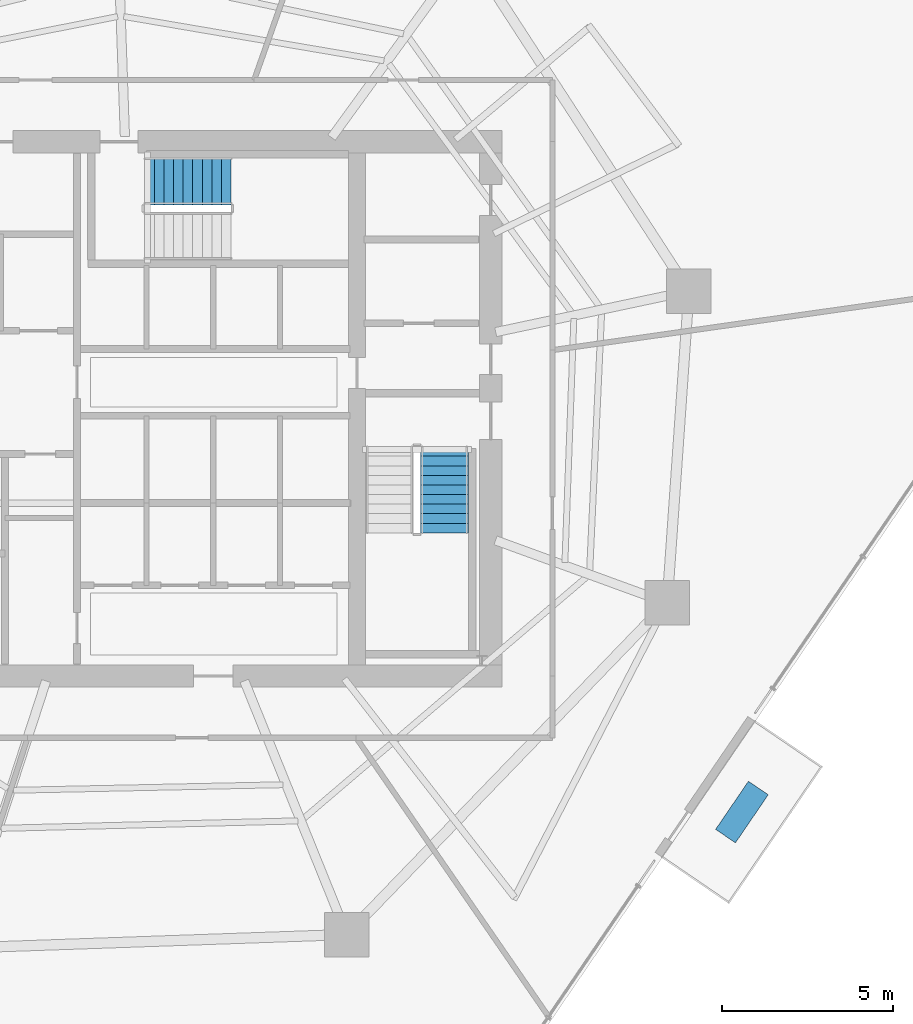
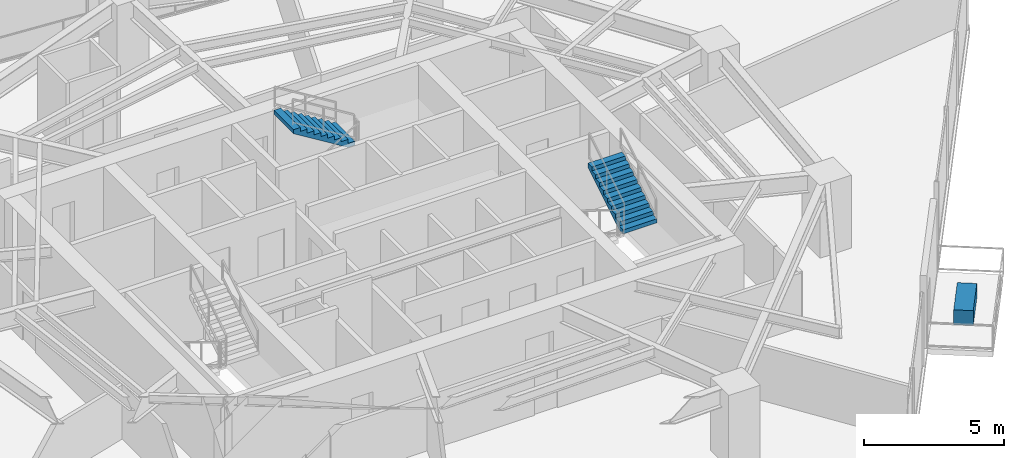
# One storey, part 28 of 30: 2 stair flights, 1 discrete accessory, 2 elements without a shape of their own.
"""IFC4 building model written with IfcOpenShell, lengths in metres."""

from ifc_helpers import new_model, si_unit, direction, frame, origin, origin_2d, place, context, subcontext, project, spatial, polyline, rectangle, outline, extrude, material, type_object, element, aggregate, save


model = new_model("IFC4")

# Units and contexts
model_context = context("Model", 3, precision=1e-05, world=origin(), true_north=direction((0.0, 1.0)))
body_context = subcontext(model_context, "Body", "Model", "MODEL_VIEW")
ifc_project = project(units=[si_unit("LENGTHUNIT", "METRE"), si_unit("AREAUNIT", "SQUARE_METRE"), si_unit("VOLUMEUNIT", "CUBIC_METRE"), si_unit("PLANEANGLEUNIT", "RADIAN"), si_unit("MASSUNIT", "GRAM", prefix="KILO")], contexts=[model_context])

# Site, building, storey
site_placement = place(None, origin())
site = spatial("IfcSite", under=ifc_project, at=site_placement, CompositionType="ELEMENT")
building_placement = place(site_placement, origin())
building = spatial("IfcBuilding", under=site, at=building_placement, Name="Qarnah Convention Tower", CompositionType="ELEMENT")
storey_placement = place(building_placement, frame((0.0, 0.0, 51.14990234375)))
storey = spatial("IfcBuildingStorey", under=building, at=storey_placement, Name="L12", CompositionType="ELEMENT", Elevation=51.14990234375)

# Stair, stair flight
ifc_material_1 = material(Name="Concrete C50/60", Category="concrete")
stair_type = type_object("IfcStairType", Name="STR-HTL", PredefinedType="HALF_TURN_STAIR", material=ifc_material_1)
stair_1_placement = place(storey_placement, origin())
stair_1 = element("IfcStair", 1, at=stair_1_placement, inside=storey, type_object=stair_type, Name="L12 Core exit stair ST-2", PredefinedType="HALF_TURN_STAIR")
stair_flight_type = type_object("IfcStairFlightType", Name="FLT-HTL", PredefinedType="STRAIGHT", material=ifc_material_1)
stair_flight_1_placement = place(storey_placement, frame((46.25, 22.780029296875, 1.72509765625), z_axis=(0.0, 0.0, 1.0), x_axis=(0.0, 1.0, 0.0)))
stair_flight_1 = element("IfcStairFlight", 2, at=stair_flight_1_placement, type_object=stair_flight_type, Name="ST-2 flight 2", NumberOfRisers=10, NumberOfTreads=9, PredefinedType="STRAIGHT", RiserHeight=0.1725, TreadLength=0.28, context=body_context, shape_type="SweptSolid", body=[
    extrude(outline(polyline([(0.0, 0.0), (0.0, 0.172607421875), (0.280029296875, 0.172607421875), (0.280029296875, 0.344970703125), (0.56005859375, 0.344970703125), (0.56005859375, 0.517578125), (0.840087890625, 0.517578125), (0.840087890625, 0.68994140625), (1.1201171875, 0.68994140625), (1.1201171875, 0.862548828125), (1.39990234375, 0.862548828125), (1.39990234375, 1.034912109375), (1.679931640625, 1.034912109375), (1.679931640625, 1.20751953125), (1.9599609375, 1.20751953125), (1.9599609375, 1.3798828125), (2.239990234375, 1.3798828125), (2.239990234375, 1.552490234375), (2.52001953125, 1.552490234375), (2.52001953125, 1.72509765625), (2.52001953125, 1.37646484375), (0.285888671875, 0.0), (0.0, 0.0)])), frame((0.0, 0.699951171875, 0.0), z_axis=(0.0, -1.0, 0.0), x_axis=(1.0, 0.0, 0.0)), (0.0, 0.0, 1.0), 1.39990234375),
])
aggregate(stair_1, [stair_flight_1])

stair_2_placement = place(storey_placement, origin())
stair_2 = element("IfcStair", 3, at=stair_2_placement, inside=storey, type_object=stair_type, Name="L12 Core exit stair ST-3", PredefinedType="HALF_TURN_STAIR")
stair_flight_2_placement = place(storey_placement, frame((40.02001953125, 33.050048828125, 1.72509765625), z_axis=(0.0, 0.0, 1.0), x_axis=(-1.0, 0.0, 0.0)))
stair_flight_2 = element("IfcStairFlight", 4, at=stair_flight_2_placement, type_object=stair_flight_type, Name="ST-3 flight 2", NumberOfRisers=10, NumberOfTreads=9, PredefinedType="STRAIGHT", RiserHeight=0.1725, TreadLength=0.28, context=body_context, shape_type="SweptSolid", body=[
    extrude(outline(polyline([(0.0, 0.0), (0.0, 0.172607421875), (0.280029296875, 0.172607421875), (0.280029296875, 0.344970703125), (0.56005859375, 0.344970703125), (0.56005859375, 0.517578125), (0.840087890625, 0.517578125), (0.840087890625, 0.68994140625), (1.1201171875, 0.68994140625), (1.1201171875, 0.862548828125), (1.39990234375, 0.862548828125), (1.39990234375, 1.034912109375), (1.679931640625, 1.034912109375), (1.679931640625, 1.20751953125), (1.9599609375, 1.20751953125), (1.9599609375, 1.3798828125), (2.239990234375, 1.3798828125), (2.239990234375, 1.552490234375), (2.52001953125, 1.552490234375), (2.52001953125, 1.72509765625), (2.52001953125, 1.37646484375), (0.285888671875, 0.0), (0.0, 0.0)])), frame((0.0, 0.699951171875, 0.0), z_axis=(0.0, -1.0, 0.0), x_axis=(1.0, 0.0, 0.0)), (0.0, 0.0, 1.0), 1.39990234375),
])
aggregate(stair_2, [stair_flight_2])

# Discrete accessory
ifc_material_2 = material(Name="Precast concrete C45/55", Category="concrete")
discrete_accessory_type = type_object("IfcDiscreteAccessoryType", Name="ACC-PLANTER-900", PredefinedType="USERDEFINED", material=ifc_material_2)
discrete_accessory_placement = place(storey_placement, frame((54.93505859375, 14.631103515625, 0.000244140625), z_axis=(0.0, 0.0, 1.0), x_axis=(0.563814377303, 0.825901536471, 0.0)))
element("IfcDiscreteAccessory", 5, at=discrete_accessory_placement, inside=storey, type_object=discrete_accessory_type, Name="L12 irrigated desert balcony PLANTER VN-L12", ObjectType="PLANTER", PredefinedType="USERDEFINED", context=body_context, shape_type="SweptSolid", body=[
    extrude(rectangle(XDim=1.699951171875, YDim=0.699951171875, at=origin_2d()), origin(), (0.0, 0.0, 1.0), 0.64990234375),
])

save(model, "model.ifc")
